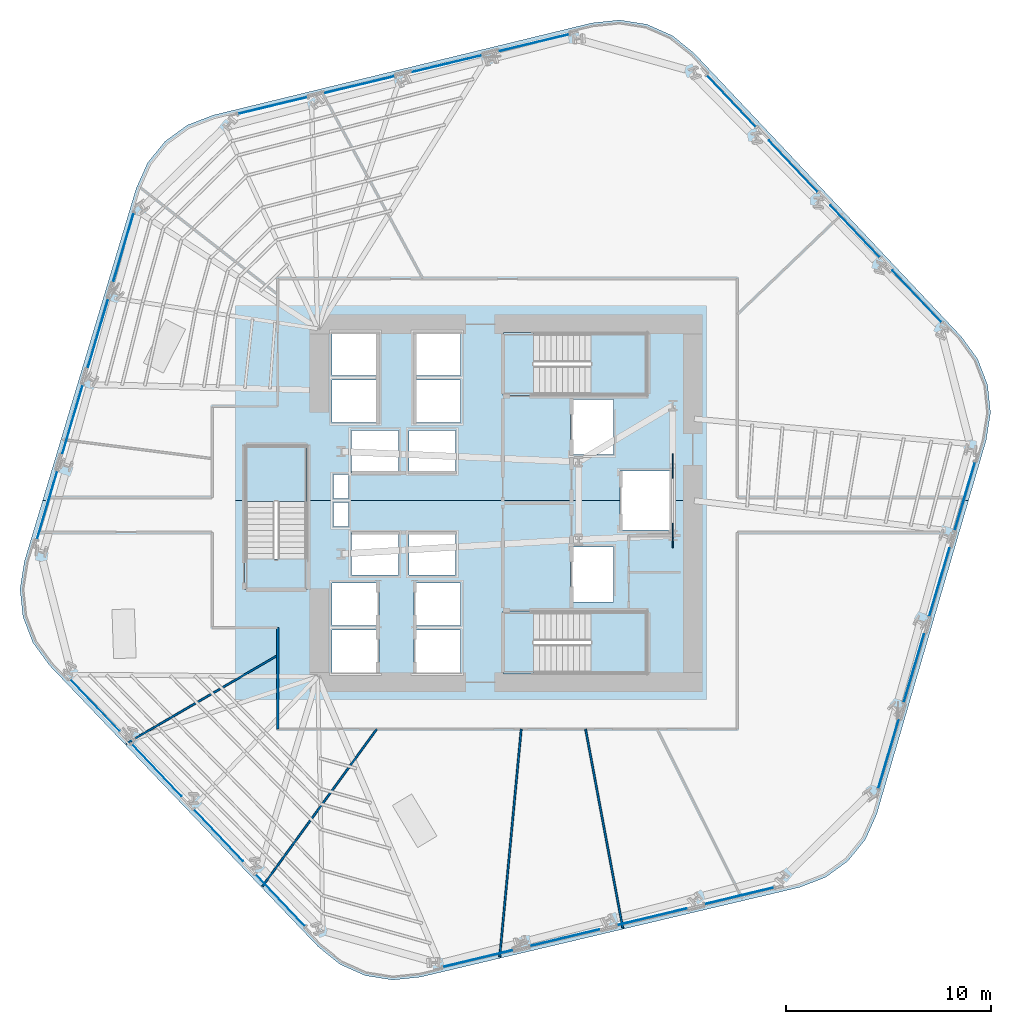
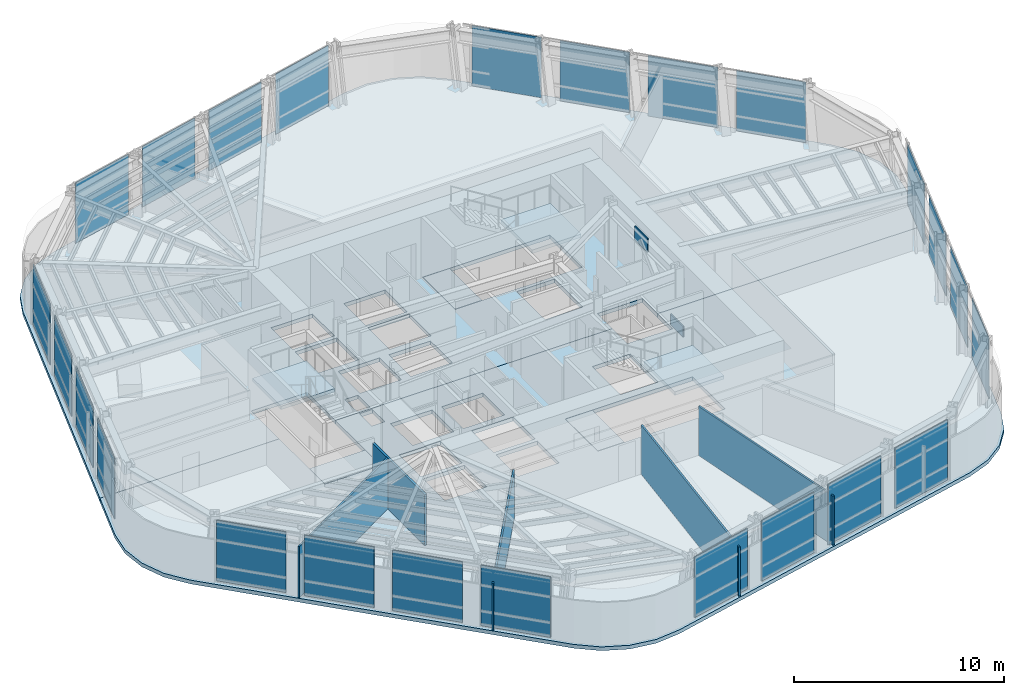
# One storey, part 8 of 17: 26 plates, 8 slabs, 5 walls, 9 elements without a shape of their own.
"""IFC4 building model written with IfcOpenShell, lengths in metres."""

from ifc_helpers import new_model, si_unit, direction, frame, frame_2d, origin, origin_2d, place, context, subcontext, project, spatial, polyline, rectangle, outline, extrude, material, layer, layer_set, type_object, element, aggregate, save


model = new_model("IFC4")

# Units and contexts
model_context = context("Model", 3, precision=1e-05, world=origin(), true_north=direction((0.0, 1.0)))
body_context = subcontext(model_context, "Body", "Model", "MODEL_VIEW")
ifc_project = project(units=[si_unit("LENGTHUNIT", "METRE"), si_unit("AREAUNIT", "SQUARE_METRE"), si_unit("VOLUMEUNIT", "CUBIC_METRE"), si_unit("PLANEANGLEUNIT", "RADIAN"), si_unit("MASSUNIT", "GRAM", prefix="KILO")], contexts=[model_context])

# Site, building, storey
site_placement = place(None, origin())
site = spatial("IfcSite", under=ifc_project, at=site_placement, CompositionType="ELEMENT")
building_placement = place(site_placement, origin())
building = spatial("IfcBuilding", under=site, at=building_placement, Name="Valkerne Bourse Tower", CompositionType="ELEMENT")
storey_placement = place(building_placement, frame((0.0, 0.0, 82.0)))
storey = spatial("IfcBuildingStorey", under=building, at=storey_placement, Name="L20", CompositionType="ELEMENT", Elevation=82.0)

# Curtain wall, plates
ifc_material_1 = material(Name="Aluminium AA 6063-T6", Category="aluminium")
ifc_layer_1 = layer(ifc_material_1, 0.22998046875)
ifc_layer_set_1 = layer_set([ifc_layer_1], Name="Aluminium AA 6063-T6")
curtain_wall_type = type_object("IfcCurtainWallType", Name="CW-02", PredefinedType="NOTDEFINED", material=ifc_layer_set_1)
curtain_wall_1_placement = place(storey_placement, origin())
curtain_wall_1 = element("IfcCurtainWall", 1, at=curtain_wall_1_placement, inside=storey, type_object=curtain_wall_type, Name="L20 Hexagonal Stick Curtain Wall Face 1", PredefinedType="NOTDEFINED")
ifc_material_2 = material(Name="Glass IGU Low-E Double Glazed", Category="glass")
ifc_layer_2 = layer(ifc_material_2, 0.031982421875)
ifc_layer_set_2 = layer_set([ifc_layer_2], Name="Glass IGU Low-E Double Glazed")
plate_type_1 = type_object("IfcPlateType", Name="CW-PNL-IGU-32", PredefinedType="CURTAIN_PANEL", material=ifc_layer_set_2)
plate_1_placement = place(storey_placement, frame((66.86865234375, 36.98095703125, 0.030029296875), z_axis=(0.0, 0.0, 1.0), x_axis=(-0.6883614127, 0.725367882874, 0.0)))
plate_1 = element("IfcPlate", 2, at=plate_1_placement, type_object=plate_type_1, Name="CW-L20-F1 Curtain Panel 00", PredefinedType="CURTAIN_PANEL", context=body_context, shape_type="SweptSolid", body=[
    extrude(rectangle(XDim=3.462890625, YDim=0.031982421875, at=origin_2d()), origin(), (0.0, 0.0, 1.0), 3.52001953125),
])
plate_2_placement = place(storey_placement, frame((63.8515625, 40.16015625, 0.030029296875), z_axis=(0.0, 0.0, 1.0), x_axis=(-0.688349407934, 0.725379274998, 0.0)))
plate_2 = element("IfcPlate", 3, at=plate_2_placement, type_object=plate_type_1, Name="CW-L20-F1 Curtain Panel 01", PredefinedType="CURTAIN_PANEL", context=body_context, shape_type="SweptSolid", body=[
    extrude(rectangle(XDim=3.462890625, YDim=0.031982421875, at=origin_2d()), origin(), (0.0, 0.0, 1.0), 3.52001953125),
])
plate_3_placement = place(storey_placement, frame((60.834716796875, 43.339599609375, 0.030029296875), z_axis=(0.0, 0.0, 1.0), x_axis=(-0.6883614127, 0.725367882874, 0.0)))
plate_3 = element("IfcPlate", 4, at=plate_3_placement, type_object=plate_type_1, Name="CW-L20-F1 Curtain Panel 02", PredefinedType="CURTAIN_PANEL", context=body_context, shape_type="SweptSolid", body=[
    extrude(rectangle(XDim=3.462890625, YDim=0.031982421875, at=origin_2d()), origin(), (0.0, 0.0, 1.0), 3.52001953125),
])
plate_4_placement = place(storey_placement, frame((57.8173828125, 46.518798828125, 0.030029296875), z_axis=(0.0, 0.0, 1.0), x_axis=(-0.688338015833, 0.725390085374, 0.0)))
plate_4 = element("IfcPlate", 5, at=plate_4_placement, type_object=plate_type_1, Name="CW-L20-F1 Curtain Panel 03", PredefinedType="CURTAIN_PANEL", context=body_context, shape_type="SweptSolid", body=[
    extrude(rectangle(XDim=3.462890625, YDim=0.031982421875, at=origin_2d()), origin(), (0.0, 0.0, 1.0), 3.52001953125),
])
aggregate(curtain_wall_1, [plate_1, plate_2, plate_3, plate_4])

curtain_wall_2_placement = place(storey_placement, origin())
curtain_wall_2 = element("IfcCurtainWall", 6, at=curtain_wall_2_placement, inside=storey, type_object=curtain_wall_type, Name="L20 Hexagonal Stick Curtain Wall Face 2", PredefinedType="NOTDEFINED")
plate_5_placement = place(storey_placement, frame((48.190673828125, 49.370361328125, 0.030029296875), z_axis=(0.0, 0.0, 1.0), x_axis=(-0.972374667452, -0.233425590066, 0.0)))
plate_5 = element("IfcPlate", 7, at=plate_5_placement, type_object=plate_type_1, Name="CW-L20-F2 Curtain Panel 00", PredefinedType="CURTAIN_PANEL", context=body_context, shape_type="SweptSolid", body=[
    extrude(rectangle(XDim=3.462890625, YDim=0.031982421875, at=origin_2d()), origin(), (0.0, 0.0, 1.0), 3.52001953125),
])
plate_6_placement = place(storey_placement, frame((43.9287109375, 48.347412109375, 0.030029296875), z_axis=(0.0, 0.0, 1.0), x_axis=(-0.972369488641, -0.233447162244, 0.0)))
plate_6 = element("IfcPlate", 8, at=plate_6_placement, type_object=plate_type_1, Name="CW-L20-F2 Curtain Panel 01", PredefinedType="CURTAIN_PANEL", context=body_context, shape_type="SweptSolid", body=[
    extrude(rectangle(XDim=3.462890625, YDim=0.031982421875, at=origin_2d()), origin(), (0.0, 0.0, 1.0), 3.52001953125),
])
plate_7_placement = place(storey_placement, frame((39.666748046875, 47.32421875, 0.030029296875), z_axis=(0.0, 0.0, 1.0), x_axis=(-0.972369488641, -0.233447162244, 0.0)))
plate_7 = element("IfcPlate", 9, at=plate_7_placement, type_object=plate_type_1, Name="CW-L20-F2 Curtain Panel 02", PredefinedType="CURTAIN_PANEL", context=body_context, shape_type="SweptSolid", body=[
    extrude(rectangle(XDim=3.462890625, YDim=0.031982421875, at=origin_2d()), origin(), (0.0, 0.0, 1.0), 3.52001953125),
])
plate_8_placement = place(storey_placement, frame((35.40478515625, 46.301025390625, 0.030029296875), z_axis=(0.0, 0.0, 1.0), x_axis=(-0.972369488641, -0.233447162244, 0.0)))
plate_8 = element("IfcPlate", 10, at=plate_8_placement, type_object=plate_type_1, Name="CW-L20-F2 Curtain Panel 03", PredefinedType="CURTAIN_PANEL", context=body_context, shape_type="SweptSolid", body=[
    extrude(rectangle(XDim=3.462890625, YDim=0.031982421875, at=origin_2d()), origin(), (0.0, 0.0, 1.0), 3.52001953125),
])
aggregate(curtain_wall_2, [plate_5, plate_6, plate_7, plate_8])

curtain_wall_3_placement = place(storey_placement, origin())
curtain_wall_3 = element("IfcCurtainWall", 11, at=curtain_wall_3_placement, inside=storey, type_object=curtain_wall_type, Name="L20 Hexagonal Stick Curtain Wall Face 3", PredefinedType="NOTDEFINED")
plate_9_placement = place(storey_placement, frame((28.121826171875, 39.389404296875, 0.030029296875), z_axis=(0.0, 0.0, 1.0), x_axis=(-0.284028514325, -0.95881583375, 0.0)))
plate_9 = element("IfcPlate", 12, at=plate_9_placement, type_object=plate_type_1, Name="CW-L20-F3 Curtain Panel 00", PredefinedType="CURTAIN_PANEL", context=body_context, shape_type="SweptSolid", body=[
    extrude(rectangle(XDim=3.462890625, YDim=0.031982421875, at=origin_2d()), origin(), (0.0, 0.0, 1.0), 3.52001953125),
])
plate_10_placement = place(storey_placement, frame((26.877197265625, 35.18701171875, 0.030029296875), z_axis=(0.0, 0.0, 1.0), x_axis=(-0.28400753931, -0.958822046897, 0.0)))
plate_10 = element("IfcPlate", 13, at=plate_10_placement, type_object=plate_type_1, Name="CW-L20-F3 Curtain Panel 01", PredefinedType="CURTAIN_PANEL", context=body_context, shape_type="SweptSolid", body=[
    extrude(rectangle(XDim=3.462890625, YDim=0.031982421875, at=origin_2d()), origin(), (0.0, 0.0, 1.0), 3.52001953125),
])
plate_11_placement = place(storey_placement, frame((25.632080078125, 30.984619140625, 0.030029296875), z_axis=(0.0, 0.0, 1.0), x_axis=(-0.284028514325, -0.95881583375, 0.0)))
plate_11 = element("IfcPlate", 14, at=plate_11_placement, type_object=plate_type_1, Name="CW-L20-F3 Curtain Panel 02", PredefinedType="CURTAIN_PANEL", context=body_context, shape_type="SweptSolid", body=[
    extrude(rectangle(XDim=3.462890625, YDim=0.031982421875, at=origin_2d()), origin(), (0.0, 0.0, 1.0), 3.52001953125),
])
plate_12_placement = place(storey_placement, frame((24.387451171875, 26.781982421875, 0.030029296875), z_axis=(0.0, 0.0, 1.0), x_axis=(-0.28400753931, -0.958822046897, 0.0)))
plate_12 = element("IfcPlate", 15, at=plate_12_placement, type_object=plate_type_1, Name="CW-L20-F3 Curtain Panel 03", PredefinedType="CURTAIN_PANEL", context=body_context, shape_type="SweptSolid", body=[
    extrude(rectangle(XDim=3.462890625, YDim=0.031982421875, at=origin_2d()), origin(), (0.0, 0.0, 1.0), 3.52001953125),
])
aggregate(curtain_wall_3, [plate_9, plate_10, plate_11, plate_12])

curtain_wall_4_placement = place(storey_placement, origin())
curtain_wall_4 = element("IfcCurtainWall", 16, at=curtain_wall_4_placement, inside=storey, type_object=curtain_wall_type, Name="L20 Hexagonal Stick Curtain Wall Face 4", PredefinedType="NOTDEFINED")
plate_13_placement = place(storey_placement, frame((26.731201171875, 17.01904296875, 0.030029296875), z_axis=(0.0, 0.0, 1.0), x_axis=(0.6883614127, -0.725367882874, 0.0)))
plate_13 = element("IfcPlate", 17, at=plate_13_placement, type_object=plate_type_1, Name="CW-L20-F4 Curtain Panel 00", PredefinedType="CURTAIN_PANEL", context=body_context, shape_type="SweptSolid", body=[
    extrude(rectangle(XDim=3.462890625, YDim=0.031982421875, at=origin_2d()), origin(), (0.0, 0.0, 1.0), 3.52001953125),
])
plate_14_placement = place(storey_placement, frame((29.748291015625, 13.83984375, 0.030029296875), z_axis=(0.0, 0.0, 1.0), x_axis=(0.688349407934, -0.725379274998, 0.0)))
plate_14 = element("IfcPlate", 18, at=plate_14_placement, type_object=plate_type_1, Name="CW-L20-F4 Curtain Panel 01", PredefinedType="CURTAIN_PANEL", context=body_context, shape_type="SweptSolid", body=[
    extrude(rectangle(XDim=3.462890625, YDim=0.031982421875, at=origin_2d()), origin(), (0.0, 0.0, 1.0), 3.52001953125),
])
plate_15_placement = place(storey_placement, frame((32.765380859375, 10.660400390625, 0.030029296875), z_axis=(0.0, 0.0, 1.0), x_axis=(0.6883614127, -0.725367882874, 0.0)))
plate_15 = element("IfcPlate", 19, at=plate_15_placement, type_object=plate_type_1, Name="CW-L20-F4 Curtain Panel 02", PredefinedType="CURTAIN_PANEL", context=body_context, shape_type="SweptSolid", body=[
    extrude(rectangle(XDim=3.462890625, YDim=0.031982421875, at=origin_2d()), origin(), (0.0, 0.0, 1.0), 3.52001953125),
])
plate_16_placement = place(storey_placement, frame((35.782470703125, 7.481201171875, 0.030029296875), z_axis=(0.0, 0.0, 1.0), x_axis=(0.688338015833, -0.725390085374, 0.0)))
plate_16 = element("IfcPlate", 20, at=plate_16_placement, type_object=plate_type_1, Name="CW-L20-F4 Curtain Panel 03", PredefinedType="CURTAIN_PANEL", context=body_context, shape_type="SweptSolid", body=[
    extrude(rectangle(XDim=3.462890625, YDim=0.031982421875, at=origin_2d()), origin(), (0.0, 0.0, 1.0), 3.52001953125),
])
aggregate(curtain_wall_4, [plate_13, plate_14, plate_15, plate_16])

curtain_wall_5_placement = place(storey_placement, origin())
curtain_wall_5 = element("IfcCurtainWall", 21, at=curtain_wall_5_placement, inside=storey, type_object=curtain_wall_type, Name="L20 Hexagonal Stick Curtain Wall Face 5", PredefinedType="NOTDEFINED")
plate_17_placement = place(storey_placement, frame((45.409423828125, 4.629638671875, 0.030029296875), z_axis=(0.0, 0.0, 1.0), x_axis=(0.972374667452, 0.233425590066, 0.0)))
plate_17 = element("IfcPlate", 22, at=plate_17_placement, type_object=plate_type_1, Name="CW-L20-F5 Curtain Panel 00", PredefinedType="CURTAIN_PANEL", context=body_context, shape_type="SweptSolid", body=[
    extrude(rectangle(XDim=3.462890625, YDim=0.031982421875, at=origin_2d()), origin(), (0.0, 0.0, 1.0), 3.52001953125),
])
plate_18_placement = place(storey_placement, frame((49.67138671875, 5.652587890625, 0.030029296875), z_axis=(0.0, 0.0, 1.0), x_axis=(0.972369488641, 0.233447162244, 0.0)))
plate_18 = element("IfcPlate", 23, at=plate_18_placement, type_object=plate_type_1, Name="CW-L20-F5 Curtain Panel 01", PredefinedType="CURTAIN_PANEL", context=body_context, shape_type="SweptSolid", body=[
    extrude(rectangle(XDim=3.462890625, YDim=0.031982421875, at=origin_2d()), origin(), (0.0, 0.0, 1.0), 3.52001953125),
])
plate_19_placement = place(storey_placement, frame((53.93310546875, 6.67578125, 0.030029296875), z_axis=(0.0, 0.0, 1.0), x_axis=(0.972369488641, 0.233447162244, 0.0)))
plate_19 = element("IfcPlate", 24, at=plate_19_placement, type_object=plate_type_1, Name="CW-L20-F5 Curtain Panel 02", PredefinedType="CURTAIN_PANEL", context=body_context, shape_type="SweptSolid", body=[
    extrude(rectangle(XDim=3.462890625, YDim=0.031982421875, at=origin_2d()), origin(), (0.0, 0.0, 1.0), 3.52001953125),
])
plate_20_placement = place(storey_placement, frame((58.195068359375, 7.698974609375, 0.030029296875), z_axis=(0.0, 0.0, 1.0), x_axis=(0.972369488641, 0.233447162244, 0.0)))
plate_20 = element("IfcPlate", 25, at=plate_20_placement, type_object=plate_type_1, Name="CW-L20-F5 Curtain Panel 03", PredefinedType="CURTAIN_PANEL", context=body_context, shape_type="SweptSolid", body=[
    extrude(rectangle(XDim=3.462890625, YDim=0.031982421875, at=origin_2d()), origin(), (0.0, 0.0, 1.0), 3.52001953125),
])
aggregate(curtain_wall_5, [plate_17, plate_18, plate_19, plate_20])

curtain_wall_6_placement = place(storey_placement, origin())
curtain_wall_6 = element("IfcCurtainWall", 26, at=curtain_wall_6_placement, inside=storey, type_object=curtain_wall_type, Name="L20 Hexagonal Stick Curtain Wall Face 6", PredefinedType="NOTDEFINED")
plate_21_placement = place(storey_placement, frame((65.47802734375, 14.610595703125, 0.030029296875), z_axis=(0.0, 0.0, 1.0), x_axis=(0.284028514325, 0.95881583375, 0.0)))
plate_21 = element("IfcPlate", 27, at=plate_21_placement, type_object=plate_type_1, Name="CW-L20-F6 Curtain Panel 00", PredefinedType="CURTAIN_PANEL", context=body_context, shape_type="SweptSolid", body=[
    extrude(rectangle(XDim=3.462890625, YDim=0.031982421875, at=origin_2d()), origin(), (0.0, 0.0, 1.0), 3.52001953125),
])
plate_22_placement = place(storey_placement, frame((66.722900390625, 18.81298828125, 0.030029296875), z_axis=(0.0, 0.0, 1.0), x_axis=(0.28400753931, 0.958822046897, 0.0)))
plate_22 = element("IfcPlate", 28, at=plate_22_placement, type_object=plate_type_1, Name="CW-L20-F6 Curtain Panel 01", PredefinedType="CURTAIN_PANEL", context=body_context, shape_type="SweptSolid", body=[
    extrude(rectangle(XDim=3.462890625, YDim=0.031982421875, at=origin_2d()), origin(), (0.0, 0.0, 1.0), 3.52001953125),
])
plate_23_placement = place(storey_placement, frame((67.9677734375, 23.015380859375, 0.030029296875), z_axis=(0.0, 0.0, 1.0), x_axis=(0.284028514325, 0.95881583375, 0.0)))
plate_23 = element("IfcPlate", 29, at=plate_23_placement, type_object=plate_type_1, Name="CW-L20-F6 Curtain Panel 02", PredefinedType="CURTAIN_PANEL", context=body_context, shape_type="SweptSolid", body=[
    extrude(rectangle(XDim=3.462890625, YDim=0.031982421875, at=origin_2d()), origin(), (0.0, 0.0, 1.0), 3.52001953125),
])
plate_24_placement = place(storey_placement, frame((69.212646484375, 27.218017578125, 0.030029296875), z_axis=(0.0, 0.0, 1.0), x_axis=(0.28400753931, 0.958822046897, 0.0)))
plate_24 = element("IfcPlate", 30, at=plate_24_placement, type_object=plate_type_1, Name="CW-L20-F6 Curtain Panel 03", PredefinedType="CURTAIN_PANEL", context=body_context, shape_type="SweptSolid", body=[
    extrude(rectangle(XDim=3.462890625, YDim=0.031982421875, at=origin_2d()), origin(), (0.0, 0.0, 1.0), 3.52001953125),
])
aggregate(curtain_wall_6, [plate_21, plate_22, plate_23, plate_24])

# Plates
ifc_material_3 = material(Name="Steel ASTM A572 Grade 50", Category="steel")
ifc_layer_3 = layer(ifc_material_3, 0.06005859375)
ifc_layer_set_3 = layer_set([ifc_layer_3], Name="Steel ASTM A572 Grade 50")
plate_type_2 = type_object("IfcPlateType", Name="PLT-GUS-60", PredefinedType="SHEET", material=ifc_layer_set_3)
for number, where, z_axis, x_axis, name in (
    (31, (54.949951171875, 25.300048828125, -0.18017578125), (0.0, 0.0, 1.0), (0.0, 1.0, 0.0), "L20 Brace Node Gusset Plate PLT-GUS-END-L20-356"),
    (32, (54.949951171875, 28.699951171875, 2.8740234375), (0.0, 0.0, 1.0), (0.0, 1.0, 0.0), "L20 Brace Node Gusset Plate PLT-GUS-END-L20-357"),
):
    element("IfcPlate", number, at=place(storey_placement, frame(where, z_axis=z_axis, x_axis=x_axis)), inside=storey, type_object=plate_type_2, Name=name, PredefinedType="SHEET", context=body_context, shape_type="SweptSolid", body=[
        extrude(rectangle(XDim=1.199951171875, YDim=0.06005859375, at=origin_2d()), origin(), (0.0, 0.0, 1.0), 0.800048828125),
    ])

# Slabs
ifc_material_4 = material(Name="Concrete C40/50", Category="concrete")
ifc_layer_4 = layer(ifc_material_4, 0.25)
ifc_layer_set_4 = layer_set([ifc_layer_4], Name="Concrete C40/50")
slab_type_1 = type_object("IfcSlabType", Name="SLB-RMP-LND-250", PredefinedType="LANDING", material=ifc_layer_set_4)
slab_1_placement = place(storey_placement, frame((0.0, 0.0, -0.219970703125)))
element("IfcSlab", 33, at=slab_1_placement, inside=storey, type_object=slab_type_1, Name="L20 ST-1 Floor Landing Slab", PredefinedType="LANDING", context=body_context, shape_type="SweptSolid", body=[
    extrude(outline(polyline([(46.669921875, 18.5400390625), (48.14990234375, 18.5400390625), (48.14990234375, 21.610107421875), (46.669921875, 21.610107421875), (46.669921875, 18.5400390625)])), origin(), (0.0, 0.0, 1.0), 0.219970703125),
])
slab_2_placement = place(storey_placement, frame((0.0, 0.0, -0.219970703125)))
element("IfcSlab", 34, at=slab_2_placement, inside=storey, type_object=slab_type_1, Name="L20 ST-2 Floor Landing Slab", PredefinedType="LANDING", context=body_context, shape_type="SweptSolid", body=[
    extrude(outline(polyline([(46.669921875, 32.139892578125), (48.14990234375, 32.139892578125), (48.14990234375, 35.2099609375), (46.669921875, 35.2099609375), (46.669921875, 32.139892578125)])), origin(), (0.0, 0.0, 1.0), 0.219970703125),
])
slab_3_placement = place(storey_placement, frame((0.0, 0.0, -0.219970703125)))
element("IfcSlab", 35, at=slab_3_placement, inside=storey, type_object=slab_type_1, Name="L20 ST-3 Floor Landing Slab", PredefinedType="LANDING", context=body_context, shape_type="SweptSolid", body=[
    extrude(outline(polyline([(37.110107421875, 22.669921875), (37.110107421875, 24.14990234375), (34.0400390625, 24.14990234375), (34.0400390625, 22.669921875), (37.110107421875, 22.669921875)])), origin(), (0.0, 0.0, 1.0), 0.219970703125),
])

# Stair, slab
stair_type = type_object("IfcStairType", Name="ST-CORE-1400", PredefinedType="HALF_TURN_STAIR", material=ifc_material_4)
stair_1_placement = place(storey_placement, origin())
stair_1 = element("IfcStair", 36, at=stair_1_placement, inside=storey, type_object=stair_type, Name="L20 ST-1", PredefinedType="HALF_TURN_STAIR")
ifc_layer_5 = layer(ifc_material_4, 0.179931640625)
ifc_layer_set_5 = layer_set([ifc_layer_5], Name="Concrete C40/50")
slab_type_2 = type_object("IfcSlabType", Name="SLB-ST-LND-180", PredefinedType="LANDING", material=ifc_layer_set_5)
slab_4_placement = place(storey_placement, frame((0.0, 0.0, 1.699951171875)))
slab_4 = element("IfcSlab", 37, at=slab_4_placement, type_object=slab_type_2, Name="ST-1 landing 1", PredefinedType="LANDING", context=body_context, shape_type="SweptSolid", body=[
    extrude(outline(polyline([(50.949951171875, 18.60009765625), (53.64990234375, 18.60009765625), (53.64990234375, 21.550048828125), (50.949951171875, 21.550048828125), (50.949951171875, 18.60009765625)])), origin(), (0.0, 0.0, 1.0), 0.199951171875),
])
aggregate(stair_1, [slab_4])

stair_2_placement = place(storey_placement, origin())
stair_2 = element("IfcStair", 38, at=stair_2_placement, inside=storey, type_object=stair_type, Name="L20 ST-2", PredefinedType="HALF_TURN_STAIR")
slab_5_placement = place(storey_placement, frame((0.0, 0.0, 1.699951171875)))
slab_5 = element("IfcSlab", 39, at=slab_5_placement, type_object=slab_type_2, Name="ST-2 landing 1", PredefinedType="LANDING", context=body_context, shape_type="SweptSolid", body=[
    extrude(outline(polyline([(50.949951171875, 32.199951171875), (53.64990234375, 32.199951171875), (53.64990234375, 35.14990234375), (50.949951171875, 35.14990234375), (50.949951171875, 32.199951171875)])), origin(), (0.0, 0.0, 1.0), 0.199951171875),
])
aggregate(stair_2, [slab_5])

stair_3_placement = place(storey_placement, origin())
stair_3 = element("IfcStair", 40, at=stair_3_placement, inside=storey, type_object=stair_type, Name="L20 ST-3", PredefinedType="HALF_TURN_STAIR")
slab_6_placement = place(storey_placement, frame((0.0, 0.0, 1.699951171875)))
slab_6 = element("IfcSlab", 41, at=slab_6_placement, type_object=slab_type_2, Name="ST-3 landing 1", PredefinedType="LANDING", context=body_context, shape_type="SweptSolid", body=[
    extrude(outline(polyline([(37.050048828125, 26.949951171875), (37.050048828125, 29.64990234375), (34.10009765625, 29.64990234375), (34.10009765625, 26.949951171875), (37.050048828125, 26.949951171875)])), origin(), (0.0, 0.0, 1.0), 0.199951171875),
])
aggregate(stair_3, [slab_6])

# Slabs
ifc_layer_6 = layer(ifc_material_4, 0.219970703125)
ifc_layer_set_6 = layer_set([ifc_layer_6], Name="Concrete C40/50")
slab_type_3 = type_object("IfcSlabType", Name="SLB-TOW-220", PredefinedType="FLOOR", material=ifc_layer_set_6)
slab_7_placement = place(storey_placement, frame((0.0, 0.0, -0.219970703125)))
element("IfcSlab", 42, at=slab_7_placement, inside=storey, type_object=slab_type_3, Name="L20 Hexagonal Composite Floor Slab S", PredefinedType="FLOOR", context=body_context, shape_type="SweptSolid", body=[
    extrude(outline(polyline([(64.357666015625, 10.453369140625), (63.50341796875, 9.3984375), (62.405029296875, 8.6005859375), (61.1376953125, 8.114013671875), (42.618896484375, 3.73046875), (41.268798828125, 3.58837890625), (39.927978515625, 3.80078125), (38.68798828125, 4.35302734375), (37.633056640625, 5.207275390625), (24.4892578125, 18.9697265625), (23.69140625, 20.068115234375), (23.204833984375, 21.335205078125), (23.06298828125, 22.685302734375), (23.275390625, 24.026123046875), (24.16650390625, 27.0), (34.034912109375, 27.0), (34.034912109375, 22.6650390625), (37.114990234375, 22.6650390625), (37.114990234375, 27.0), (52.360107421875, 27.0), (52.360107421875, 25.56005859375), (54.840087890625, 25.56005859375), (54.840087890625, 27.0), (69.390869140625, 27.0), (64.90966796875, 11.693603515625), (64.357666015625, 10.453369140625)]), holes=[polyline([(40.590087890625, 20.68994140625), (38.31005859375, 20.68994140625), (38.31005859375, 18.610107421875), (40.590087890625, 18.610107421875), (40.590087890625, 20.68994140625)]), polyline([(40.590087890625, 22.989990234375), (38.31005859375, 22.989990234375), (38.31005859375, 20.909912109375), (40.590087890625, 20.909912109375), (40.590087890625, 22.989990234375)]), polyline([(41.5400390625, 25.43994140625), (39.260009765625, 25.43994140625), (39.260009765625, 23.360107421875), (41.5400390625, 23.360107421875), (41.5400390625, 25.43994140625)]), polyline([(39.10009765625, 25.72998046875), (39.10009765625, 26.89990234375), (38.3798828125, 26.89990234375), (38.3798828125, 25.72998046875), (39.10009765625, 25.72998046875)]), polyline([(44.590087890625, 20.68994140625), (42.31005859375, 20.68994140625), (42.31005859375, 18.610107421875), (44.590087890625, 18.610107421875), (44.590087890625, 20.68994140625)]), polyline([(53.675048828125, 21.614990234375), (46.6650390625, 21.614990234375), (46.6650390625, 18.534912109375), (53.675048828125, 18.534912109375), (53.675048828125, 21.614990234375)]), polyline([(44.590087890625, 22.989990234375), (42.31005859375, 22.989990234375), (42.31005859375, 20.909912109375), (44.590087890625, 20.909912109375), (44.590087890625, 22.989990234375)]), polyline([(52.0400390625, 22.06005859375), (52.0400390625, 24.739990234375), (49.9599609375, 24.739990234375), (49.9599609375, 22.06005859375), (52.0400390625, 22.06005859375)]), polyline([(44.340087890625, 23.360107421875), (44.340087890625, 25.43994140625), (42.06005859375, 25.43994140625), (42.06005859375, 23.360107421875), (44.340087890625, 23.360107421875)])]), origin(), (0.0, 0.0, 1.0), 0.219970703125),
])
slab_8_placement = place(storey_placement, frame((0.0, 0.0, -0.219970703125)))
element("IfcSlab", 43, at=slab_8_placement, inside=storey, type_object=slab_type_3, Name="L20 Hexagonal Composite Floor Slab N", PredefinedType="FLOOR", context=body_context, shape_type="SweptSolid", body=[
    extrude(outline(polyline([(28.738525390625, 42.255859375), (29.29052734375, 43.495849609375), (30.14501953125, 44.55078125), (31.2431640625, 45.3486328125), (32.510498046875, 45.835205078125), (51.0009765625, 50.3369140625), (52.35107421875, 50.478759765625), (53.69189453125, 50.266357421875), (54.931884765625, 49.714111328125), (55.98681640625, 48.85986328125), (69.042724609375, 35.013916015625), (69.840576171875, 33.915771484375), (70.326904296875, 32.648193359375), (70.468994140625, 31.29833984375), (70.256591796875, 29.95751953125), (69.390869140625, 27.0), (54.840087890625, 27.0), (54.840087890625, 28.43994140625), (52.360107421875, 28.43994140625), (52.360107421875, 27.0), (37.114990234375, 27.0), (37.114990234375, 29.675048828125), (34.034912109375, 29.675048828125), (34.034912109375, 27.0), (24.16650390625, 27.0), (28.738525390625, 42.255859375)]), holes=[polyline([(39.10009765625, 28.27001953125), (38.3798828125, 28.27001953125), (38.3798828125, 27.10009765625), (39.10009765625, 27.10009765625), (39.10009765625, 28.27001953125)]), polyline([(41.5400390625, 30.43994140625), (39.260009765625, 30.43994140625), (39.260009765625, 28.360107421875), (41.5400390625, 28.360107421875), (41.5400390625, 30.43994140625)]), polyline([(44.340087890625, 30.43994140625), (42.06005859375, 30.43994140625), (42.06005859375, 28.360107421875), (44.340087890625, 28.360107421875), (44.340087890625, 30.43994140625)]), polyline([(40.590087890625, 30.81005859375), (40.590087890625, 32.889892578125), (38.31005859375, 32.889892578125), (38.31005859375, 30.81005859375), (40.590087890625, 30.81005859375)]), polyline([(40.590087890625, 33.110107421875), (40.590087890625, 35.18994140625), (38.31005859375, 35.18994140625), (38.31005859375, 33.110107421875), (40.590087890625, 33.110107421875)]), polyline([(52.0400390625, 31.93994140625), (49.9599609375, 31.93994140625), (49.9599609375, 29.260009765625), (52.0400390625, 29.260009765625), (52.0400390625, 31.93994140625)]), polyline([(44.590087890625, 32.889892578125), (42.31005859375, 32.889892578125), (42.31005859375, 30.81005859375), (44.590087890625, 30.81005859375), (44.590087890625, 32.889892578125)]), polyline([(53.675048828125, 32.135009765625), (53.675048828125, 35.215087890625), (46.6650390625, 35.215087890625), (46.6650390625, 32.135009765625), (53.675048828125, 32.135009765625)]), polyline([(44.590087890625, 33.110107421875), (44.590087890625, 35.18994140625), (42.31005859375, 35.18994140625), (42.31005859375, 33.110107421875), (44.590087890625, 33.110107421875)])]), origin(), (0.0, 0.0, 1.0), 0.219970703125),
])

# Walls
ifc_material_5 = material(Name="Gypsum Board Steel-Stud Partition", Category="steel")
ifc_layer_7 = layer(ifc_material_5, 0.117919921875)
ifc_layer_set_7 = layer_set([ifc_layer_7], Name="Gypsum Board Steel-Stud Partition")
wall_type_1 = type_object("IfcWallType", Name="W-CORR-140", PredefinedType="PARTITIONING", material=ifc_layer_set_7)
wall_1_placement = place(storey_placement, frame((35.64990234375, 15.85009765625, 0.0), z_axis=(0.0, 0.0, 1.0), x_axis=(0.0, 1.0, 0.0)))
element("IfcWall", 44, at=wall_1_placement, inside=storey, type_object=wall_type_1, Name="L20 Corridor Enclosure Wall", PredefinedType="PARTITIONING", context=body_context, shape_type="SweptSolid", body=[
    extrude(rectangle(XDim=4.949951171875, YDim=0.117919921875, at=frame_2d((2.47509765625, 0.0))), origin(), (0.0, 0.0, 1.0), 2.962890625),
])
ifc_layer_8 = layer(ifc_material_5, 0.092041015625)
ifc_layer_set_8 = layer_set([ifc_layer_8], Name="Gypsum Board Steel-Stud Partition")
wall_type_2 = type_object("IfcWallType", Name="W-PART-115", PredefinedType="PARTITIONING", material=ifc_layer_set_8)
wall_2_placement = place(storey_placement, frame((47.54541015625, 15.844970703125, 0.0), z_axis=(0.0, 0.0, 1.0), x_axis=(-0.094094600919, -0.995563260711, 0.0)))
element("IfcWall", 45, at=wall_2_placement, inside=storey, type_object=wall_type_2, Name="L20 Suite Partition P01", PredefinedType="PARTITIONING", context=body_context, shape_type="SweptSolid", body=[
    extrude(rectangle(XDim=11.175048828125, YDim=0.092041015625, at=frame_2d((5.58740234375, 0.0))), origin(), (0.0, 0.0, 1.0), 2.864013671875),
])
wall_3_placement = place(storey_placement, frame((50.6875, 15.844970703125, 0.0), z_axis=(0.0, 0.0, 1.0), x_axis=(0.183958512385, -0.982934008833, 0.0)))
element("IfcWall", 46, at=wall_3_placement, inside=storey, type_object=wall_type_2, Name="L20 Suite Partition P02", PredefinedType="PARTITIONING", context=body_context, shape_type="SweptSolid", body=[
    extrude(rectangle(XDim=9.871337890625, YDim=0.092041015625, at=frame_2d((4.935546875, 0.0))), origin(), (0.0, 0.0, 1.0), 2.864013671875),
])
wall_4_placement = place(storey_placement, frame((35.64501953125, 19.444091796875, 0.0), z_axis=(0.0, 0.0, 1.0), x_axis=(-0.863812004272, -0.503814272601, 0.0)))
element("IfcWall", 47, at=wall_4_placement, inside=storey, type_object=wall_type_2, Name="L20 Suite Partition P08", PredefinedType="PARTITIONING", context=body_context, shape_type="SweptSolid", body=[
    extrude(rectangle(XDim=8.559326171875, YDim=0.092041015625, at=frame_2d((4.27978515625, 0.0))), origin(), (0.0, 0.0, 1.0), 2.962890625),
])
wall_5_placement = place(storey_placement, frame((40.489990234375, 15.844970703125, 0.0), z_axis=(0.0, 0.0, 1.0), x_axis=(-0.588053983508, -0.80882168151, 0.0)))
element("IfcWall", 48, at=wall_5_placement, inside=storey, type_object=wall_type_2, Name="L20 Suite Partition P09", PredefinedType="PARTITIONING", context=body_context, shape_type="SweptSolid", body=[
    extrude(rectangle(XDim=9.49609375, YDim=0.092041015625, at=frame_2d((4.748046875, 0.0))), origin(), (0.0, 0.0, 1.0), 2.711669921875),
])

save(model, "model.ifc")
